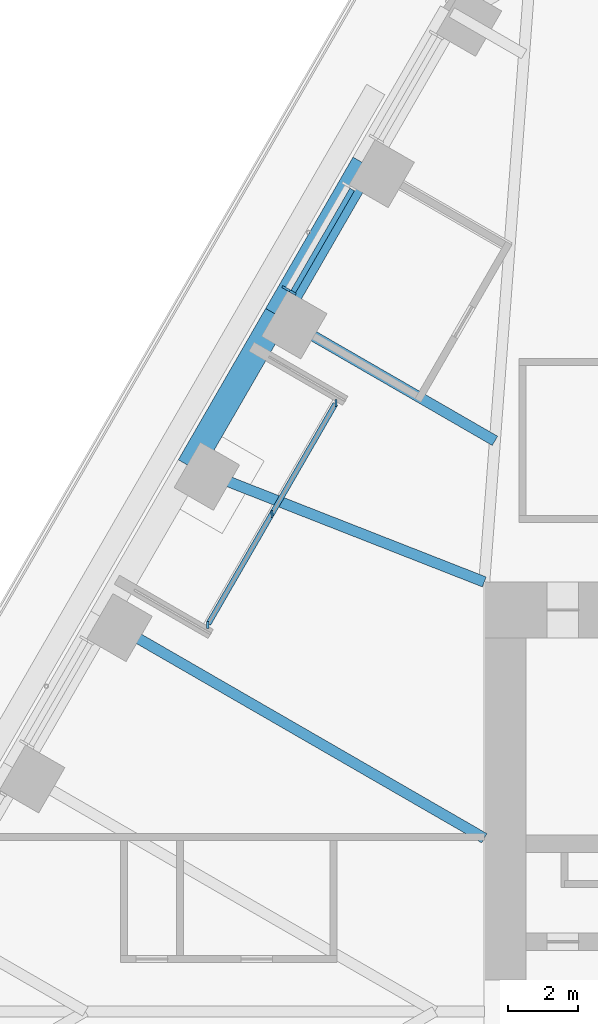
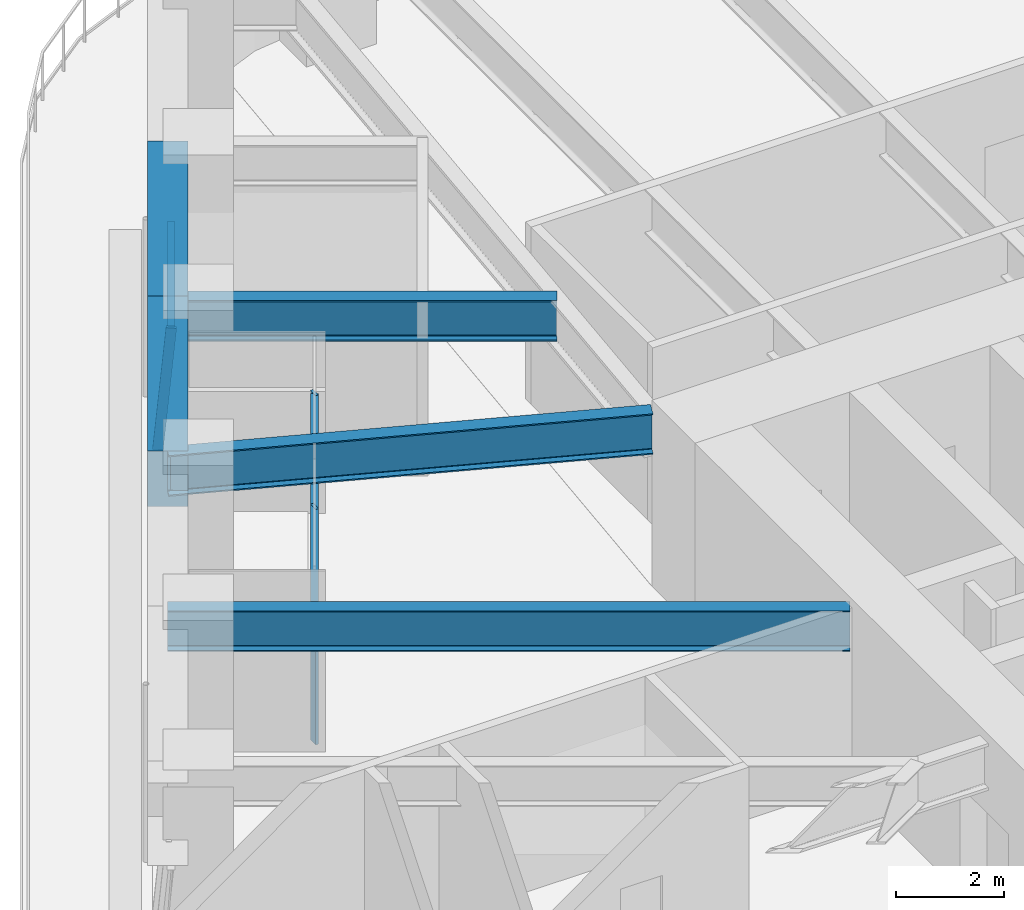
# One storey, part 8 of 24: 6 members, 5 beams, 2 elements without a shape of their own.
"""IFC4 building model written with IfcOpenShell, lengths in metres."""

from ifc_helpers import new_model, si_unit, direction, frame, origin, origin_2d, place, context, subcontext, project, spatial, rectangle, i_section, extrude, material, material_profile, profile_set, type_object, element, aggregate, save


model = new_model("IFC4")

# Units and contexts
model_context = context("Model", 3, precision=1e-05, world=origin(), true_north=direction((0.0, 1.0)))
body_context = subcontext(model_context, "Body", "Model", "MODEL_VIEW")
ifc_project = project(units=[si_unit("LENGTHUNIT", "METRE"), si_unit("AREAUNIT", "SQUARE_METRE"), si_unit("VOLUMEUNIT", "CUBIC_METRE"), si_unit("PLANEANGLEUNIT", "RADIAN"), si_unit("MASSUNIT", "GRAM", prefix="KILO")], contexts=[model_context])

# Site, building, storey
site_placement = place(None, origin())
site = spatial("IfcSite", under=ifc_project, at=site_placement, CompositionType="ELEMENT")
building_placement = place(site_placement, origin())
building = spatial("IfcBuilding", under=site, at=building_placement, Name="Tarfa Lantern Tower", CompositionType="ELEMENT")
storey_placement = place(building_placement, frame((0.0, 0.0, 195.10009765625)))
storey = spatial("IfcBuildingStorey", under=building, at=storey_placement, Name="L44", CompositionType="ELEMENT", Elevation=195.10009765625)

# Curtain wall, member
ifc_material_1 = material(Name="Aluminium framed curtain wall", Category="aluminium")
curtain_wall_type_1 = type_object("IfcCurtainWallType", Name="CW2 CANTED GLAZING MID ZONE 2750", PredefinedType="USERDEFINED", material=ifc_material_1)
curtain_wall_1_placement = place(storey_placement, origin())
curtain_wall_1 = element("IfcCurtainWall", 1, at=curtain_wall_1_placement, inside=storey, type_object=curtain_wall_type_1, Name="CW2 NW L44", ObjectType="CURTAIN WALL", PredefinedType="USERDEFINED")
ifc_material_2 = material(Name="Aluminium mullion", Category="aluminium")
ifc_material_profile_1 = material_profile(ifc_material_2, rectangle(XDim=0.06494140625, YDim=0.199951171875, at=origin_2d()), Name="AL MULLION 65x200")
ifc_profile_set_1 = profile_set([ifc_material_profile_1], Name="Aluminium mullion")
member_type_1 = type_object("IfcMemberType", Name="CWM1 MULLION 65x200", PredefinedType="MULLION", material=ifc_profile_set_1)
member_1_placement = place(storey_placement, frame((-24.300048828125, 20.7109375, 0.0), z_axis=(0.078422950161, -0.045267813396, 0.995891894715), x_axis=(0.499919672301, 0.866071776036, 0.0)))
member_1 = element("IfcMember", 2, at=member_1_placement, type_object=member_type_1, Name="CW2 mullion 2", PredefinedType="MULLION", context=body_context, shape_type="SweptSolid", body=[
    extrude(rectangle(XDim=0.06494140625, YDim=0.199951171875, at=origin_2d()), origin(), (0.0, 0.0, 1.0), 2.76123046875),
])

# Curtain wall, members
curtain_wall_type_2 = type_object("IfcCurtainWallType", Name="CW10 LOGGIA GLAZING 2750", PredefinedType="USERDEFINED", material=ifc_material_1)
curtain_wall_2_placement = place(storey_placement, origin())
curtain_wall_2 = element("IfcCurtainWall", 3, at=curtain_wall_2_placement, inside=storey, type_object=curtain_wall_type_2, Name="CW10 NWL L44", ObjectType="CURTAIN WALL", PredefinedType="USERDEFINED")
member_2_placement = place(storey_placement, frame((-22.84619140625, 17.429443359375, 0.0), z_axis=(0.0, 0.0, 1.0), x_axis=(1.0, 0.0, 0.0)))
member_2 = element("IfcMember", 4, at=member_2_placement, type_object=member_type_1, Name="CW10 mullion 1", PredefinedType="MULLION", context=body_context, shape_type="SweptSolid", body=[
    extrude(rectangle(XDim=0.06494140625, YDim=0.199951171875, at=origin_2d()), origin(), (0.0, 0.0, 1.0), 2.75),
])
member_3_placement = place(storey_placement, frame((-24.681640625, 14.25, 0.0), z_axis=(0.0, 0.0, 1.0), x_axis=(1.0, 0.0, 0.0)))
member_3 = element("IfcMember", 5, at=member_3_placement, type_object=member_type_1, Name="CW10 mullion 2", PredefinedType="MULLION", context=body_context, shape_type="SweptSolid", body=[
    extrude(rectangle(XDim=0.06494140625, YDim=0.199951171875, at=origin_2d()), origin(), (0.0, 0.0, 1.0), 2.75),
])
member_4_placement = place(storey_placement, frame((-26.517333984375, 11.070556640625, 0.0), z_axis=(0.0, 0.0, 1.0), x_axis=(1.0, 0.0, 0.0)))
member_4 = element("IfcMember", 6, at=member_4_placement, type_object=member_type_1, Name="CW10 mullion 3", PredefinedType="MULLION", context=body_context, shape_type="SweptSolid", body=[
    extrude(rectangle(XDim=0.06494140625, YDim=0.199951171875, at=origin_2d()), origin(), (0.0, 0.0, 1.0), 2.75),
])

# Member
ifc_material_3 = material(Name="Aluminium transom", Category="aluminium")
ifc_material_profile_2 = material_profile(ifc_material_3, rectangle(XDim=0.14990234375, YDim=0.06494140625, at=origin_2d()), Name="AL TRANSOM 150x65")
ifc_profile_set_2 = profile_set([ifc_material_profile_2], Name="Aluminium transom")
member_type_2 = type_object("IfcMemberType", Name="CWT1 TRANSOM 150x65", PredefinedType="USERDEFINED", material=ifc_profile_set_2)
member_5_placement = place(storey_placement, frame((-22.383056640625, 23.537353515625, 2.71728515625), z_axis=(-0.499991822116, -0.866030125237, 0.0), x_axis=(0.866030125237, -0.499991822116, 0.0)))
member_5 = element("IfcMember", 7, at=member_5_placement, type_object=member_type_2, Name="CW2 transom 1.2", ObjectType="TRANSOM", PredefinedType="USERDEFINED", context=body_context, shape_type="SweptSolid", body=[
    extrude(rectangle(XDim=0.14990234375, YDim=0.06494140625, at=origin_2d()), origin(), (0.0, 0.0, 1.0), 3.37353515625),
])

aggregate(curtain_wall_1, [member_1, member_5])

member_6_placement = place(storey_placement, frame((-22.8623046875, 17.401123046875, 2.71728515625), z_axis=(-0.500007048974, -0.866021334019, 0.0), x_axis=(0.866021334019, -0.500007048974, 0.0)))
member_6 = element("IfcMember", 8, at=member_6_placement, type_object=member_type_2, Name="CW10 transom 1.2", ObjectType="TRANSOM", PredefinedType="USERDEFINED", context=body_context, shape_type="SweptSolid", body=[
    extrude(rectangle(XDim=0.14990234375, YDim=0.06494140625, at=origin_2d()), origin(), (0.0, 0.0, 1.0), 7.27734375),
])

aggregate(curtain_wall_2, [member_2, member_3, member_4, member_6])

# Beams
ifc_material_4 = material(Name="Concrete C80/95", Category="concrete")
ifc_material_profile_3 = material_profile(ifc_material_4, rectangle(XDim=0.75, YDim=1.25, at=origin_2d()), Name="RC 750x1250")
ifc_profile_set_3 = profile_set([ifc_material_profile_3], Name="Concrete C80/95")
beam_type_1 = type_object("IfcBeamType", Name="EB2 RC 750x1250", PredefinedType="SPANDREL", material=ifc_profile_set_3)
for number, where, z_axis, x_axis, name in (
    (9, (-22.03369140625, 24.276611328125, 3.375), (-0.49998573051, -0.866033642122, 0.0), (0.866033642122, -0.49998573051, 0.0), "Edge beam NW1"),
    (10, (-24.535400390625, 19.943359375, 3.375), (-0.500022324899, -0.866012514114, 0.0), (0.866012514114, -0.500022324899, 0.0), "Edge beam NW2"),
):
    element("IfcBeam", number, at=place(storey_placement, frame(where, z_axis=z_axis, x_axis=x_axis)), inside=storey, type_object=beam_type_1, Name=name, PredefinedType="SPANDREL", context=body_context, shape_type="SweptSolid", body=[
        extrude(rectangle(XDim=0.75, YDim=1.25, at=origin_2d()), origin(), (0.0, 0.0, 1.0), 5.003662109375),
    ])
ifc_material_5 = material(Name="Steel S460M", Category="steel")
ifc_material_profile_4 = material_profile(ifc_material_5, i_section(OverallWidth=0.305419921875, OverallDepth=0.91845703125, WebThickness=0.017333984375, FlangeThickness=0.02783203125, FilletRadius=0.01904296875, at=origin_2d()), Name="UB914x305x253")
ifc_profile_set_4 = profile_set([ifc_material_profile_4], Name="Steel S460M")
beam_type_2 = type_object("IfcBeamType", Name="UB914x305x253", PredefinedType="BEAM", material=ifc_profile_set_4)
beam_1_placement = place(storey_placement, frame((-24.535400390625, 19.943359375, 3.540771484375), z_axis=(0.86602647304, -0.499998147991, 0.0), x_axis=(0.499998147991, 0.86602647304, 0.0)))
element("IfcBeam", 11, at=beam_1_placement, inside=storey, type_object=beam_type_2, Name="Floor beam NW2", PredefinedType="BEAM", context=body_context, shape_type="SweptSolid", body=[
    extrude(i_section(OverallWidth=0.305419921875, OverallDepth=0.91845703125, WebThickness=0.017333984375, FlangeThickness=0.02783203125, FilletRadius=0.01904296875, at=origin_2d()), origin(), (0.0, 0.0, 1.0), 7.20556640625),
])
beam_2_placement = place(storey_placement, frame((-27.037353515625, 15.610107421875, 3.540771484375), z_axis=(0.930923282782, -0.365214788274, 0.0), x_axis=(0.365214788274, 0.930923282782, 0.0)))
element("IfcBeam", 12, at=beam_2_placement, inside=storey, type_object=beam_type_2, Name="Floor beam NW3", PredefinedType="BEAM", context=body_context, shape_type="SweptSolid", body=[
    extrude(i_section(OverallWidth=0.305419921875, OverallDepth=0.91845703125, WebThickness=0.017333984375, FlangeThickness=0.02783203125, FilletRadius=0.01904296875, at=origin_2d()), origin(), (0.0, 0.0, 1.0), 9.063232421875),
])
beam_3_placement = place(storey_placement, frame((-29.5390625, 11.276611328125, 3.540771484375), z_axis=(0.866023362995, -0.500003534735, 0.0), x_axis=(0.500003534735, 0.866023362995, 0.0)))
element("IfcBeam", 13, at=beam_3_placement, inside=storey, type_object=beam_type_2, Name="Floor beam NW4", PredefinedType="BEAM", context=body_context, shape_type="SweptSolid", body=[
    extrude(i_section(OverallWidth=0.305419921875, OverallDepth=0.91845703125, WebThickness=0.017333984375, FlangeThickness=0.02783203125, FilletRadius=0.01904296875, at=origin_2d()), origin(), (0.0, 0.0, 1.0), 12.63134765625),
])

save(model, "model.ifc")
